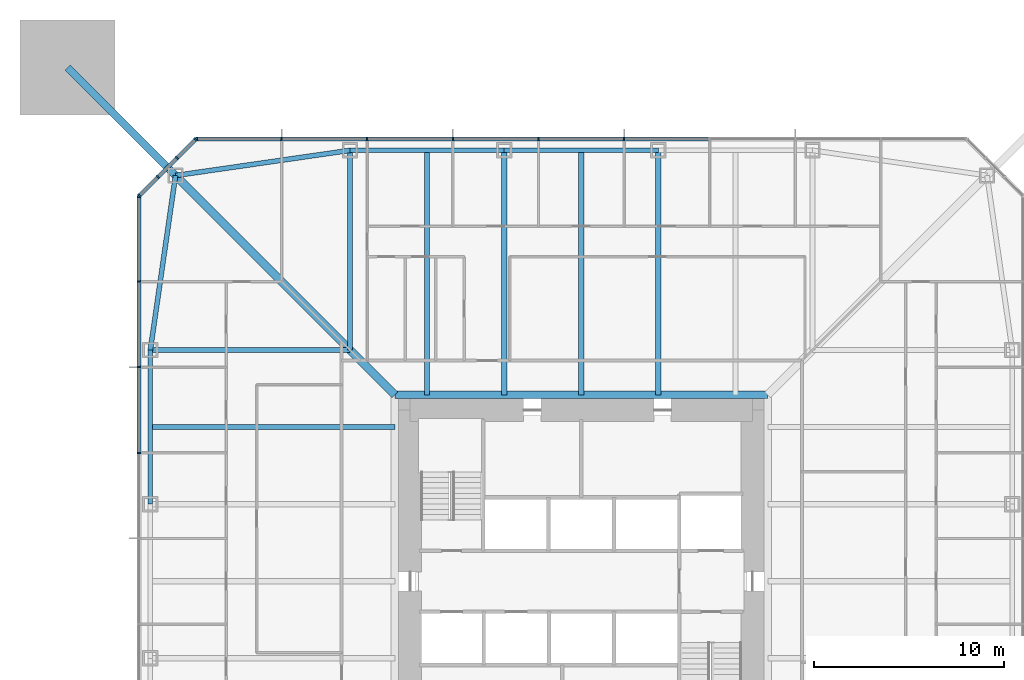
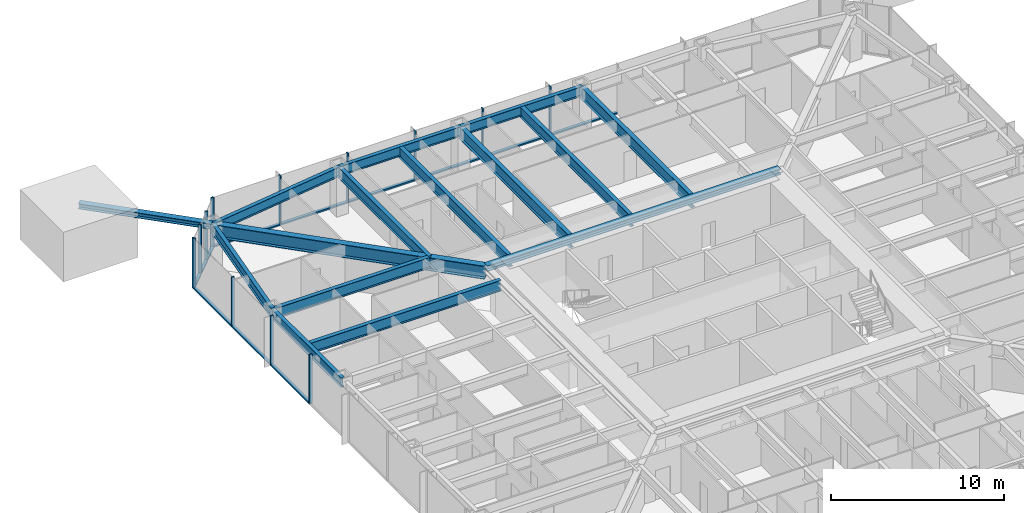
# One storey, part 6 of 26: 27 members, 14 beams, 3 elements without a shape of their own.
"""IFC4 building model written with IfcOpenShell, lengths in metres."""

from ifc_helpers import new_model, si_unit, direction, frame, origin, origin_2d, place, context, subcontext, project, spatial, rectangle, i_section, extrude, material, material_profile, profile_set, type_object, element, aggregate, save


model = new_model("IFC4")

# Units and contexts
model_context = context("Model", 3, precision=1e-05, world=origin(), true_north=direction((0.0, 1.0)))
body_context = subcontext(model_context, "Body", "Model", "MODEL_VIEW")
ifc_project = project(units=[si_unit("LENGTHUNIT", "METRE"), si_unit("AREAUNIT", "SQUARE_METRE"), si_unit("VOLUMEUNIT", "CUBIC_METRE"), si_unit("PLANEANGLEUNIT", "RADIAN"), si_unit("MASSUNIT", "GRAM", prefix="KILO")], contexts=[model_context])

# Site, building, storey
site_placement = place(None, origin())
site = spatial("IfcSite", under=ifc_project, at=site_placement, CompositionType="ELEMENT")
building_placement = place(site_placement, origin())
building = spatial("IfcBuilding", under=site, at=building_placement, Name="Iwan Alto Co-Living Towers", CompositionType="ELEMENT")
storey_placement = place(building_placement, frame((0.0, 0.0, 50.0)))
storey = spatial("IfcBuildingStorey", under=building, at=storey_placement, Name="L13", CompositionType="ELEMENT", Elevation=50.0)

# Curtain wall, members
ifc_material_1 = material(Name="Bronze aluminium unitised frame", Category="aluminium")
curtain_wall_type_1 = type_object("IfcCurtainWallType", Name="CURTAIN WALL CW-A", PredefinedType="NOTDEFINED", material=ifc_material_1)
curtain_wall_1_placement = place(storey_placement, origin())
curtain_wall_1 = element("IfcCurtainWall", 1, at=curtain_wall_1_placement, inside=storey, type_object=curtain_wall_type_1, Name="T1 curtain wall N L13", PredefinedType="NOTDEFINED")
ifc_material_2 = material(Name="Aluminium 6063-T6 bronze anodised", Category="aluminium")
ifc_material_profile_1 = material_profile(ifc_material_2, rectangle(XDim=0.199951171875, YDim=0.080078125, at=origin_2d()), Name="AL 80X200")
ifc_profile_set_1 = profile_set([ifc_material_profile_1], Name="Aluminium 6063-T6 bronze anodised")
member_type_1 = type_object("IfcMemberType", Name="CW-A MULLION 80X200", PredefinedType="MULLION", material=ifc_profile_set_1)
member_1_placement = place(storey_placement, frame((2.25, 23.25, 0.0), z_axis=(0.0, 0.0, 1.0), x_axis=(0.0, -1.0, 0.0)))
member_1 = element("IfcMember", 2, at=member_1_placement, type_object=member_type_1, Name="CW-A mullion 5", PredefinedType="MULLION", context=body_context, shape_type="SweptSolid", body=[
    extrude(rectangle(XDim=0.199951171875, YDim=0.080078125, at=origin_2d()), origin(), (0.0, 0.0, 1.0), 3.5),
])
member_2_placement = place(storey_placement, frame((-2.25, 23.25, 0.0), z_axis=(0.0, 0.0, 1.0), x_axis=(0.0, -1.0, 0.0)))
member_2 = element("IfcMember", 3, at=member_2_placement, type_object=member_type_1, Name="CW-A mullion 6", PredefinedType="MULLION", context=body_context, shape_type="SweptSolid", body=[
    extrude(rectangle(XDim=0.199951171875, YDim=0.080078125, at=origin_2d()), origin(), (0.0, 0.0, 1.0), 3.5),
])
member_3_placement = place(storey_placement, frame((-6.75, 23.25, 0.0), z_axis=(0.0, 0.0, 1.0), x_axis=(0.0, -1.0, 0.0)))
member_3 = element("IfcMember", 4, at=member_3_placement, type_object=member_type_1, Name="CW-A mullion 7", PredefinedType="MULLION", context=body_context, shape_type="SweptSolid", body=[
    extrude(rectangle(XDim=0.199951171875, YDim=0.080078125, at=origin_2d()), origin(), (0.0, 0.0, 1.0), 3.5),
])
member_4_placement = place(storey_placement, frame((-11.25, 23.25, 0.0), z_axis=(0.0, 0.0, 1.0), x_axis=(0.0, -1.0, 0.0)))
member_4 = element("IfcMember", 5, at=member_4_placement, type_object=member_type_1, Name="CW-A mullion 8", PredefinedType="MULLION", context=body_context, shape_type="SweptSolid", body=[
    extrude(rectangle(XDim=0.199951171875, YDim=0.080078125, at=origin_2d()), origin(), (0.0, 0.0, 1.0), 3.5),
])
member_5_placement = place(storey_placement, frame((-15.75, 23.25, 0.0), z_axis=(0.0, 0.0, 1.0), x_axis=(0.0, -1.0, 0.0)))
member_5 = element("IfcMember", 6, at=member_5_placement, type_object=member_type_1, Name="CW-A mullion 9", PredefinedType="MULLION", context=body_context, shape_type="SweptSolid", body=[
    extrude(rectangle(XDim=0.199951171875, YDim=0.080078125, at=origin_2d()), origin(), (0.0, 0.0, 1.0), 3.5),
])
member_6_placement = place(storey_placement, frame((-20.2099609375, 23.25, 0.0), z_axis=(0.0, 0.0, 1.0), x_axis=(0.0, -1.0, 0.0)))
member_6 = element("IfcMember", 7, at=member_6_placement, type_object=member_type_1, Name="CW-A mullion 10", PredefinedType="MULLION", context=body_context, shape_type="SweptSolid", body=[
    extrude(rectangle(XDim=0.199951171875, YDim=0.080078125, at=origin_2d()), origin(), (0.0, 0.0, 1.0), 3.5),
])

curtain_wall_2_placement = place(storey_placement, origin())
curtain_wall_2 = element("IfcCurtainWall", 8, at=curtain_wall_2_placement, inside=storey, type_object=curtain_wall_type_1, Name="T1 curtain wall W L13", PredefinedType="NOTDEFINED")
member_7_placement = place(storey_placement, frame((-23.25, 20.2099609375, 0.0), z_axis=(0.0, 0.0, 1.0), x_axis=(1.0, 0.0, 0.0)))
member_7 = element("IfcMember", 9, at=member_7_placement, type_object=member_type_1, Name="CW-A mullion 1", PredefinedType="MULLION", context=body_context, shape_type="SweptSolid", body=[
    extrude(rectangle(XDim=0.199951171875, YDim=0.080078125, at=origin_2d()), origin(), (0.0, 0.0, 1.0), 3.5),
])
member_8_placement = place(storey_placement, frame((-23.25, 15.75, 0.0), z_axis=(0.0, 0.0, 1.0), x_axis=(1.0, 0.0, 0.0)))
member_8 = element("IfcMember", 10, at=member_8_placement, type_object=member_type_1, Name="CW-A mullion 2", PredefinedType="MULLION", context=body_context, shape_type="SweptSolid", body=[
    extrude(rectangle(XDim=0.199951171875, YDim=0.080078125, at=origin_2d()), origin(), (0.0, 0.0, 1.0), 3.5),
])
member_9_placement = place(storey_placement, frame((-23.25, 11.25, 0.0), z_axis=(0.0, 0.0, 1.0), x_axis=(1.0, 0.0, 0.0)))
member_9 = element("IfcMember", 11, at=member_9_placement, type_object=member_type_1, Name="CW-A mullion 3", PredefinedType="MULLION", context=body_context, shape_type="SweptSolid", body=[
    extrude(rectangle(XDim=0.199951171875, YDim=0.080078125, at=origin_2d()), origin(), (0.0, 0.0, 1.0), 3.5),
])
member_10_placement = place(storey_placement, frame((-23.25, 6.75, 0.0), z_axis=(0.0, 0.0, 1.0), x_axis=(1.0, 0.0, 0.0)))
member_10 = element("IfcMember", 12, at=member_10_placement, type_object=member_type_1, Name="CW-A mullion 4", PredefinedType="MULLION", context=body_context, shape_type="SweptSolid", body=[
    extrude(rectangle(XDim=0.199951171875, YDim=0.080078125, at=origin_2d()), origin(), (0.0, 0.0, 1.0), 3.5),
])

# Member
ifc_material_3 = material(Name="Aluminium 6063-T6 bronze anodised", Category="aluminium")
ifc_material_profile_2 = material_profile(ifc_material_3, rectangle(XDim=0.199951171875, YDim=0.10009765625, at=origin_2d()), Name="AL 200X100")
ifc_profile_set_2 = profile_set([ifc_material_profile_2], Name="Aluminium 6063-T6 bronze anodised")
member_type_2 = type_object("IfcMemberType", Name="CW-A TRANSOM 200X100", PredefinedType="USERDEFINED", material=ifc_profile_set_2)
member_11_placement = place(storey_placement, frame((6.7099609375, 23.25, 0.050048828125), z_axis=(-1.0, 0.0, 0.0), x_axis=(0.0, -1.0, 0.0)))
member_11 = element("IfcMember", 13, at=member_11_placement, type_object=member_type_2, Name="CW-A transom 4.1", ObjectType="TRANSOM", PredefinedType="USERDEFINED", context=body_context, shape_type="SweptSolid", body=[
    extrude(rectangle(XDim=0.199951171875, YDim=0.10009765625, at=origin_2d()), origin(), (0.0, 0.0, 1.0), 4.419921875),
])

member_12_placement = place(storey_placement, frame((2.2099609375, 23.25, 0.050048828125), z_axis=(-1.0, 0.0, 0.0), x_axis=(0.0, -1.0, 0.0)))
member_12 = element("IfcMember", 14, at=member_12_placement, type_object=member_type_2, Name="CW-A transom 5.1", ObjectType="TRANSOM", PredefinedType="USERDEFINED", context=body_context, shape_type="SweptSolid", body=[
    extrude(rectangle(XDim=0.199951171875, YDim=0.10009765625, at=origin_2d()), origin(), (0.0, 0.0, 1.0), 4.419921875),
])

member_13_placement = place(storey_placement, frame((-2.2900390625, 23.25, 0.050048828125), z_axis=(-1.0, 0.0, 0.0), x_axis=(0.0, -1.0, 0.0)))
member_13 = element("IfcMember", 15, at=member_13_placement, type_object=member_type_2, Name="CW-A transom 6.1", ObjectType="TRANSOM", PredefinedType="USERDEFINED", context=body_context, shape_type="SweptSolid", body=[
    extrude(rectangle(XDim=0.199951171875, YDim=0.10009765625, at=origin_2d()), origin(), (0.0, 0.0, 1.0), 4.419921875),
])

member_14_placement = place(storey_placement, frame((-6.7900390625, 23.25, 0.050048828125), z_axis=(-1.0, 0.0, 0.0), x_axis=(0.0, -1.0, 0.0)))
member_14 = element("IfcMember", 16, at=member_14_placement, type_object=member_type_2, Name="CW-A transom 7.1", ObjectType="TRANSOM", PredefinedType="USERDEFINED", context=body_context, shape_type="SweptSolid", body=[
    extrude(rectangle(XDim=0.199951171875, YDim=0.10009765625, at=origin_2d()), origin(), (0.0, 0.0, 1.0), 4.419921875),
])

member_15_placement = place(storey_placement, frame((-11.2900390625, 23.25, 0.050048828125), z_axis=(-1.0, 0.0, 0.0), x_axis=(0.0, -1.0, 0.0)))
member_15 = element("IfcMember", 17, at=member_15_placement, type_object=member_type_2, Name="CW-A transom 8.1", ObjectType="TRANSOM", PredefinedType="USERDEFINED", context=body_context, shape_type="SweptSolid", body=[
    extrude(rectangle(XDim=0.199951171875, YDim=0.10009765625, at=origin_2d()), origin(), (0.0, 0.0, 1.0), 4.419921875),
])

member_16_placement = place(storey_placement, frame((-15.7900390625, 23.25, 0.050048828125), z_axis=(-1.0, 0.0, 0.0), x_axis=(0.0, -1.0, 0.0)))
member_16 = element("IfcMember", 18, at=member_16_placement, type_object=member_type_2, Name="CW-A transom 9.1", ObjectType="TRANSOM", PredefinedType="USERDEFINED", context=body_context, shape_type="SweptSolid", body=[
    extrude(rectangle(XDim=0.199951171875, YDim=0.10009765625, at=origin_2d()), origin(), (0.0, 0.0, 1.0), 4.3798828125),
])

aggregate(curtain_wall_1, [member_1, member_2, member_3, member_4, member_5, member_6, member_11, member_12, member_13, member_14, member_15, member_16])

member_17_placement = place(storey_placement, frame((-23.25, 20.169921875, 0.050048828125), z_axis=(0.0, -1.0, 0.0), x_axis=(1.0, 0.0, 0.0)))
member_17 = element("IfcMember", 19, at=member_17_placement, type_object=member_type_2, Name="CW-A transom 1.1", ObjectType="TRANSOM", PredefinedType="USERDEFINED", context=body_context, shape_type="SweptSolid", body=[
    extrude(rectangle(XDim=0.199951171875, YDim=0.10009765625, at=origin_2d()), origin(), (0.0, 0.0, 1.0), 4.3798828125),
])

member_18_placement = place(storey_placement, frame((-23.25, 15.7099609375, 0.050048828125), z_axis=(0.0, -1.0, 0.0), x_axis=(1.0, 0.0, 0.0)))
member_18 = element("IfcMember", 20, at=member_18_placement, type_object=member_type_2, Name="CW-A transom 2.1", ObjectType="TRANSOM", PredefinedType="USERDEFINED", context=body_context, shape_type="SweptSolid", body=[
    extrude(rectangle(XDim=0.199951171875, YDim=0.10009765625, at=origin_2d()), origin(), (0.0, 0.0, 1.0), 4.419921875),
])

member_19_placement = place(storey_placement, frame((-23.25, 11.2099609375, 0.050048828125), z_axis=(0.0, -1.0, 0.0), x_axis=(1.0, 0.0, 0.0)))
member_19 = element("IfcMember", 21, at=member_19_placement, type_object=member_type_2, Name="CW-A transom 3.1", ObjectType="TRANSOM", PredefinedType="USERDEFINED", context=body_context, shape_type="SweptSolid", body=[
    extrude(rectangle(XDim=0.199951171875, YDim=0.10009765625, at=origin_2d()), origin(), (0.0, 0.0, 1.0), 4.419921875),
])

aggregate(curtain_wall_2, [member_7, member_8, member_9, member_10, member_17, member_18, member_19])

# Curtain wall, members
ifc_material_4 = material(Name="Bronze aluminium unitised frame", Category="aluminium")
curtain_wall_type_2 = type_object("IfcCurtainWallType", Name="CURTAIN WALL CW-B", PredefinedType="NOTDEFINED", material=ifc_material_4)
curtain_wall_3_placement = place(storey_placement, origin())
curtain_wall_3 = element("IfcCurtainWall", 22, at=curtain_wall_3_placement, inside=storey, type_object=curtain_wall_type_2, Name="T1 chamfer curtain wall NW L13", PredefinedType="NOTDEFINED")
ifc_material_5 = material(Name="Aluminium 6063-T6 bronze anodised", Category="aluminium")
ifc_material_profile_3 = material_profile(ifc_material_5, rectangle(XDim=0.199951171875, YDim=0.080078125, at=origin_2d()), Name="AL 80X200")
ifc_profile_set_3 = profile_set([ifc_material_profile_3], Name="Aluminium 6063-T6 bronze anodised")
member_type_3 = type_object("IfcMemberType", Name="CW-B MULLION 80X200", PredefinedType="MULLION", material=ifc_profile_set_3)
member_20_placement = place(storey_placement, frame((-20.2783203125, 23.2216796875, 0.0), z_axis=(0.0, 0.0, 1.0), x_axis=(0.707106781187, -0.707106781187, 0.0)))
member_20 = element("IfcMember", 23, at=member_20_placement, type_object=member_type_3, Name="CW-B mullion 1", PredefinedType="MULLION", context=body_context, shape_type="SweptSolid", body=[
    extrude(rectangle(XDim=0.199951171875, YDim=0.080078125, at=origin_2d()), origin(), (0.0, 0.0, 1.0), 3.5),
])
member_21_placement = place(storey_placement, frame((-21.25, 22.25, 0.0), z_axis=(0.0, 0.0, 1.0), x_axis=(0.707106781187, -0.707106781187, 0.0)))
member_21 = element("IfcMember", 24, at=member_21_placement, type_object=member_type_3, Name="CW-B mullion 2", PredefinedType="MULLION", context=body_context, shape_type="SweptSolid", body=[
    extrude(rectangle(XDim=0.199951171875, YDim=0.080078125, at=origin_2d()), origin(), (0.0, 0.0, 1.0), 3.5),
])
member_22_placement = place(storey_placement, frame((-22.25, 21.25, 0.0), z_axis=(0.0, 0.0, 1.0), x_axis=(0.707106781187, -0.707106781187, 0.0)))
member_22 = element("IfcMember", 25, at=member_22_placement, type_object=member_type_3, Name="CW-B mullion 3", PredefinedType="MULLION", context=body_context, shape_type="SweptSolid", body=[
    extrude(rectangle(XDim=0.199951171875, YDim=0.080078125, at=origin_2d()), origin(), (0.0, 0.0, 1.0), 3.5),
])
member_23_placement = place(storey_placement, frame((-23.2216796875, 20.2783203125, 0.0), z_axis=(0.0, 0.0, 1.0), x_axis=(0.707106781187, -0.707106781187, 0.0)))
member_23 = element("IfcMember", 26, at=member_23_placement, type_object=member_type_3, Name="CW-B mullion 4", PredefinedType="MULLION", context=body_context, shape_type="SweptSolid", body=[
    extrude(rectangle(XDim=0.199951171875, YDim=0.080078125, at=origin_2d()), origin(), (0.0, 0.0, 1.0), 3.5),
])
ifc_material_6 = material(Name="Aluminium 6063-T6 bronze anodised", Category="aluminium")
ifc_material_profile_4 = material_profile(ifc_material_6, rectangle(XDim=0.199951171875, YDim=0.10009765625, at=origin_2d()), Name="AL 200X100")
ifc_profile_set_4 = profile_set([ifc_material_profile_4], Name="Aluminium 6063-T6 bronze anodised")
member_type_4 = type_object("IfcMemberType", Name="CW-B TRANSOM 200X100", PredefinedType="USERDEFINED", material=ifc_profile_set_4)
member_24_placement = place(storey_placement, frame((-20.306640625, 23.193359375, 0.050048828125), z_axis=(-0.707106781187, -0.707106781187, 0.0), x_axis=(0.707106781187, -0.707106781187, 0.0)))
member_24 = element("IfcMember", 27, at=member_24_placement, type_object=member_type_4, Name="CW-B transom 1.1", ObjectType="TRANSOM", PredefinedType="USERDEFINED", context=body_context, shape_type="SweptSolid", body=[
    extrude(rectangle(XDim=0.199951171875, YDim=0.10009765625, at=origin_2d()), origin(), (0.0, 0.0, 1.0), 1.2939453125),
])
member_25_placement = place(storey_placement, frame((-21.2783203125, 22.2216796875, 0.050048828125), z_axis=(-0.707106781187, -0.707106781187, 0.0), x_axis=(0.707106781187, -0.707106781187, 0.0)))
member_25 = element("IfcMember", 28, at=member_25_placement, type_object=member_type_4, Name="CW-B transom 2.1", ObjectType="TRANSOM", PredefinedType="USERDEFINED", context=body_context, shape_type="SweptSolid", body=[
    extrude(rectangle(XDim=0.199951171875, YDim=0.10009765625, at=origin_2d()), origin(), (0.0, 0.0, 1.0), 1.334228515625),
])
member_26_placement = place(storey_placement, frame((-22.2783203125, 21.2216796875, 0.050048828125), z_axis=(-0.707106781187, -0.707106781187, 0.0), x_axis=(0.707106781187, -0.707106781187, 0.0)))
member_26 = element("IfcMember", 29, at=member_26_placement, type_object=member_type_4, Name="CW-B transom 3.1", ObjectType="TRANSOM", PredefinedType="USERDEFINED", context=body_context, shape_type="SweptSolid", body=[
    extrude(rectangle(XDim=0.199951171875, YDim=0.10009765625, at=origin_2d()), origin(), (0.0, 0.0, 1.0), 1.2939453125),
])
aggregate(curtain_wall_3, [member_20, member_21, member_22, member_23, member_24, member_25, member_26])

# Beams
ifc_material_7 = material(Name="Steel ASTM A992 Gr 50", Category="steel")
ifc_material_profile_5 = material_profile(ifc_material_7, i_section(OverallWidth=0.40380859375, OverallDepth=0.406494140625, WebThickness=0.027099609375, FlangeThickness=0.043701171875, at=origin_2d()), Name="W14X233")
ifc_profile_set_5 = profile_set([ifc_material_profile_5], Name="Steel ASTM A992 Gr 50")
beam_type_1 = type_object("IfcBeamType", Name="T1 CORE LEDGER BEAM W14X233", PredefinedType="BEAM", material=ifc_profile_set_5)
beam_1_placement = place(storey_placement, frame((9.802001953125, 9.802001953125, 3.06689453125), z_axis=(-1.0, 0.0, 0.0), x_axis=(0.0, -1.0, 0.0)))
element("IfcBeam", 30, at=beam_1_placement, inside=storey, type_object=beam_type_1, Name="T1 core ledger beam N L14", PredefinedType="BEAM", context=body_context, shape_type="SweptSolid", body=[
    extrude(i_section(OverallWidth=0.40380859375, OverallDepth=0.406494140625, WebThickness=0.027099609375, FlangeThickness=0.043701171875, at=origin_2d()), origin(), (0.0, 0.0, 1.0), 19.60400390625),
])
ifc_material_8 = material(Name="Steel ASTM A992 Gr 50", Category="steel")
ifc_material_profile_6 = material_profile(ifc_material_8, i_section(OverallWidth=0.419189453125, OverallDepth=0.927001953125, WebThickness=0.019287109375, FlangeThickness=0.031982421875, at=origin_2d()), Name="W36X231")
ifc_profile_set_6 = profile_set([ifc_material_profile_6], Name="Steel ASTM A992 Gr 50")
beam_type_2 = type_object("IfcBeamType", Name="T1 CORNER GIRDER W36X231", PredefinedType="BEAM", material=ifc_profile_set_6)
beam_2_placement = place(storey_placement, frame((-21.32568359375, 21.32568359375, 2.806396484375), z_axis=(0.707106781187, -0.707106781187, 0.0), x_axis=(0.707106781187, 0.707106781187, 0.0)))
element("IfcBeam", 31, at=beam_2_placement, inside=storey, type_object=beam_type_2, Name="T1 corner girder CNW L14", PredefinedType="BEAM", context=body_context, shape_type="SweptSolid", body=[
    extrude(i_section(OverallWidth=0.419189453125, OverallDepth=0.927001953125, WebThickness=0.019287109375, FlangeThickness=0.031982421875, at=origin_2d()), origin(), (0.0, 0.0, 1.0), 16.296875),
])
ifc_material_9 = material(Name="Steel ASTM A992 Gr 50", Category="steel")
ifc_material_profile_7 = material_profile(ifc_material_9, i_section(OverallWidth=0.25390625, OverallDepth=0.683349609375, WebThickness=0.012451171875, FlangeThickness=0.018798828125, at=origin_2d()), Name="W27X94")
ifc_profile_set_7 = profile_set([ifc_material_profile_7], Name="Steel ASTM A992 Gr 50")
beam_type_3 = type_object("IfcBeamType", Name="T1 EDGE BEAM W27X94", PredefinedType="BEAM", material=ifc_profile_set_7)
beam_3_placement = place(storey_placement, frame((4.050048828125, 22.64990234375, 2.928466796875), z_axis=(-1.0, 0.0, 0.0), x_axis=(0.0, -1.0, 0.0)))
element("IfcBeam", 32, at=beam_3_placement, inside=storey, type_object=beam_type_3, Name="T1 edge beam N2 L14", PredefinedType="BEAM", context=body_context, shape_type="SweptSolid", body=[
    extrude(i_section(OverallWidth=0.25390625, OverallDepth=0.683349609375, WebThickness=0.012451171875, FlangeThickness=0.018798828125, at=origin_2d()), origin(), (0.0, 0.0, 1.0), 8.10009765625),
])
beam_4_placement = place(storey_placement, frame((-4.050048828125, 22.64990234375, 2.928466796875), z_axis=(-1.0, 0.0, 0.0), x_axis=(0.0, -1.0, 0.0)))
element("IfcBeam", 33, at=beam_4_placement, inside=storey, type_object=beam_type_3, Name="T1 edge beam N3 L14", PredefinedType="BEAM", context=body_context, shape_type="SweptSolid", body=[
    extrude(i_section(OverallWidth=0.25390625, OverallDepth=0.683349609375, WebThickness=0.012451171875, FlangeThickness=0.018798828125, at=origin_2d()), origin(), (0.0, 0.0, 1.0), 8.099853515625),
])
for number, where, z_axis, x_axis, name in (
    (34, (-12.14990234375, 22.64990234375, 2.928466796875), (-0.989746234347, -0.142836940589, 0.0), (0.142836940589, -0.989746234347, 0.0), "T1 edge beam N4 L14"),
    (35, (-21.32568359375, 21.32568359375, 2.928466796875), (-0.142836940589, -0.989746234347, 0.0), (0.989746234347, -0.142836940589, 0.0), "T1 edge beam CNW L14"),
):
    element("IfcBeam", number, at=place(storey_placement, frame(where, z_axis=z_axis, x_axis=x_axis)), inside=storey, type_object=beam_type_3, Name=name, PredefinedType="BEAM", context=body_context, shape_type="SweptSolid", body=[
        extrude(i_section(OverallWidth=0.25390625, OverallDepth=0.683349609375, WebThickness=0.012451171875, FlangeThickness=0.018798828125, at=origin_2d()), origin(), (0.0, 0.0, 1.0), 9.270751953125),
    ])
beam_5_placement = place(storey_placement, frame((-22.64990234375, 12.14990234375, 2.928466796875), z_axis=(0.0, -1.0, 0.0), x_axis=(1.0, 0.0, 0.0)))
element("IfcBeam", 36, at=beam_5_placement, inside=storey, type_object=beam_type_3, Name="T1 edge beam W1 L14", PredefinedType="BEAM", context=body_context, shape_type="SweptSolid", body=[
    extrude(i_section(OverallWidth=0.25390625, OverallDepth=0.683349609375, WebThickness=0.012451171875, FlangeThickness=0.018798828125, at=origin_2d()), origin(), (0.0, 0.0, 1.0), 8.099853515625),
])

# Member
ifc_material_10 = material(Name="Steel ASTM A992 Gr 50", Category="steel")
ifc_material_profile_8 = material_profile(ifc_material_10, i_section(OverallWidth=0.393798828125, OverallDepth=0.3759765625, WebThickness=0.017333984375, FlangeThickness=0.027587890625, at=origin_2d()), Name="W14X145")
ifc_profile_set_8 = profile_set([ifc_material_profile_8], Name="Steel ASTM A992 Gr 50")
member_type_5 = type_object("IfcMemberType", Name="T1 MEGA COLUMN FLOOR TIE W14X145", PredefinedType="STRUT", material=ifc_profile_set_8)
member_27_placement = place(storey_placement, frame((-27.0, 27.0, 3.08203125), z_axis=(0.707106781187, -0.707106781187, 0.0), x_axis=(0.707106781187, 0.707106781187, 0.0)))
element("IfcMember", 37, at=member_27_placement, inside=storey, type_object=member_type_5, Name="T1 mega column floor tie NW L14", PredefinedType="STRUT", context=body_context, shape_type="SweptSolid", body=[
    extrude(i_section(OverallWidth=0.393798828125, OverallDepth=0.3759765625, WebThickness=0.017333984375, FlangeThickness=0.027587890625, at=origin_2d()), origin(), (0.0, 0.0, 1.0), 8.024658203125),
])

# Beams
ifc_material_11 = material(Name="Steel ASTM A992 Gr 50", Category="steel")
ifc_material_profile_9 = material_profile(ifc_material_11, i_section(OverallWidth=0.2666015625, OverallDepth=0.761962890625, WebThickness=0.014404296875, FlangeThickness=0.021484375, at=origin_2d()), Name="W30X116")
ifc_profile_set_9 = profile_set([ifc_material_profile_9], Name="Steel ASTM A992 Gr 50")
beam_type_4 = type_object("IfcBeamType", Name="T1 RADIAL BEAM W30X116", PredefinedType="BEAM", material=ifc_profile_set_9)
for number, where, z_axis, x_axis, name in (
    (38, (-12.14990234375, 22.64990234375, 2.888916015625), (0.0, -1.0, 0.0), (1.0, 0.0, 0.0), "T1 radial beam N4 L14"),
    (39, (-22.64990234375, 12.14990234375, 2.888916015625), (1.0, 0.0, 0.0), (0.0, 1.0, 0.0), "T1 radial beam W1 L14"),
):
    element("IfcBeam", number, at=place(storey_placement, frame(where, z_axis=z_axis, x_axis=x_axis)), inside=storey, type_object=beam_type_4, Name=name, PredefinedType="BEAM", context=body_context, shape_type="SweptSolid", body=[
        extrude(i_section(OverallWidth=0.2666015625, OverallDepth=0.761962890625, WebThickness=0.014404296875, FlangeThickness=0.021484375, at=origin_2d()), origin(), (0.0, 0.0, 1.0), 10.5),
    ])
ifc_material_12 = material(Name="Steel ASTM A992 Gr 50", Category="steel")
ifc_material_profile_10 = material_profile(ifc_material_12, i_section(OverallWidth=0.2919921875, OverallDepth=0.8408203125, WebThickness=0.0146484375, FlangeThickness=0.021728515625, at=origin_2d()), Name="W33X130")
ifc_profile_set_10 = profile_set([ifc_material_profile_10], Name="Steel ASTM A992 Gr 50")
beam_type_5 = type_object("IfcBeamType", Name="T1 RADIAL BEAM W33X130", PredefinedType="BEAM", material=ifc_profile_set_10)
for number, where, z_axis, x_axis, name in (
    (40, (4.050048828125, 22.64990234375, 2.849609375), (0.0, -1.0, 0.0), (1.0, 0.0, 0.0), "T1 radial beam N2 L14"),
    (41, (-4.050048828125, 22.64990234375, 2.849609375), (0.0, -1.0, 0.0), (1.0, 0.0, 0.0), "T1 radial beam N3 L14"),
):
    element("IfcBeam", number, at=place(storey_placement, frame(where, z_axis=z_axis, x_axis=x_axis)), inside=storey, type_object=beam_type_5, Name=name, PredefinedType="BEAM", context=body_context, shape_type="SweptSolid", body=[
        extrude(i_section(OverallWidth=0.2919921875, OverallDepth=0.8408203125, WebThickness=0.0146484375, FlangeThickness=0.021728515625, at=origin_2d()), origin(), (0.0, 0.0, 1.0), 12.847900390625),
    ])
ifc_material_13 = material(Name="Steel ASTM A992 Gr 50", Category="steel")
ifc_material_profile_11 = material_profile(ifc_material_13, i_section(OverallWidth=0.2666015625, OverallDepth=0.761962890625, WebThickness=0.014404296875, FlangeThickness=0.021484375, at=origin_2d()), Name="W30X116")
ifc_profile_set_11 = profile_set([ifc_material_profile_11], Name="Steel ASTM A992 Gr 50")
beam_type_6 = type_object("IfcBeamType", Name="T1 SECONDARY BEAM W30X116", PredefinedType="JOIST", material=ifc_profile_set_11)
for number, where, z_axis, x_axis, name in (
    (42, (0.0, 22.64990234375, 2.888916015625), (0.0, -1.0, 0.0), (1.0, 0.0, 0.0), "T1 secondary beam N2 L14"),
    (43, (-8.10009765625, 22.64990234375, 2.888916015625), (0.0, -1.0, 0.0), (1.0, 0.0, 0.0), "T1 secondary beam N3 L14"),
    (44, (-22.64990234375, 8.10009765625, 2.888916015625), (1.0, 0.0, 0.0), (0.0, 1.0, 0.0), "T1 secondary beam W1 L14"),
):
    element("IfcBeam", number, at=place(storey_placement, frame(where, z_axis=z_axis, x_axis=x_axis)), inside=storey, type_object=beam_type_6, Name=name, PredefinedType="JOIST", context=body_context, shape_type="SweptSolid", body=[
        extrude(i_section(OverallWidth=0.2666015625, OverallDepth=0.761962890625, WebThickness=0.014404296875, FlangeThickness=0.021484375, at=origin_2d()), origin(), (0.0, 0.0, 1.0), 12.847900390625),
    ])

save(model, "model.ifc")
